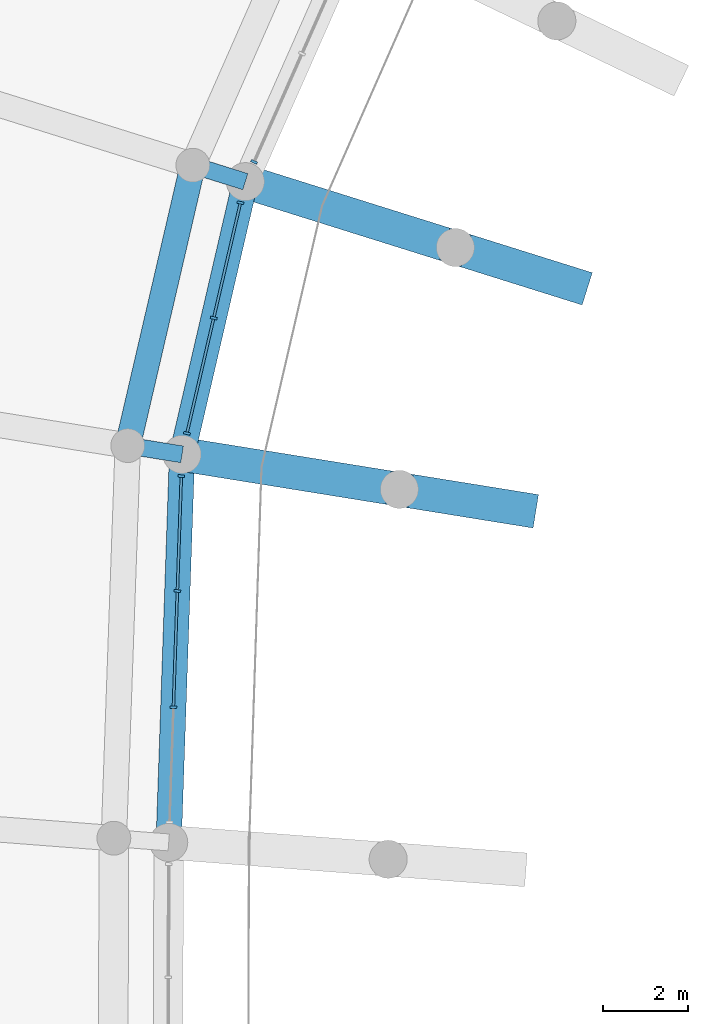
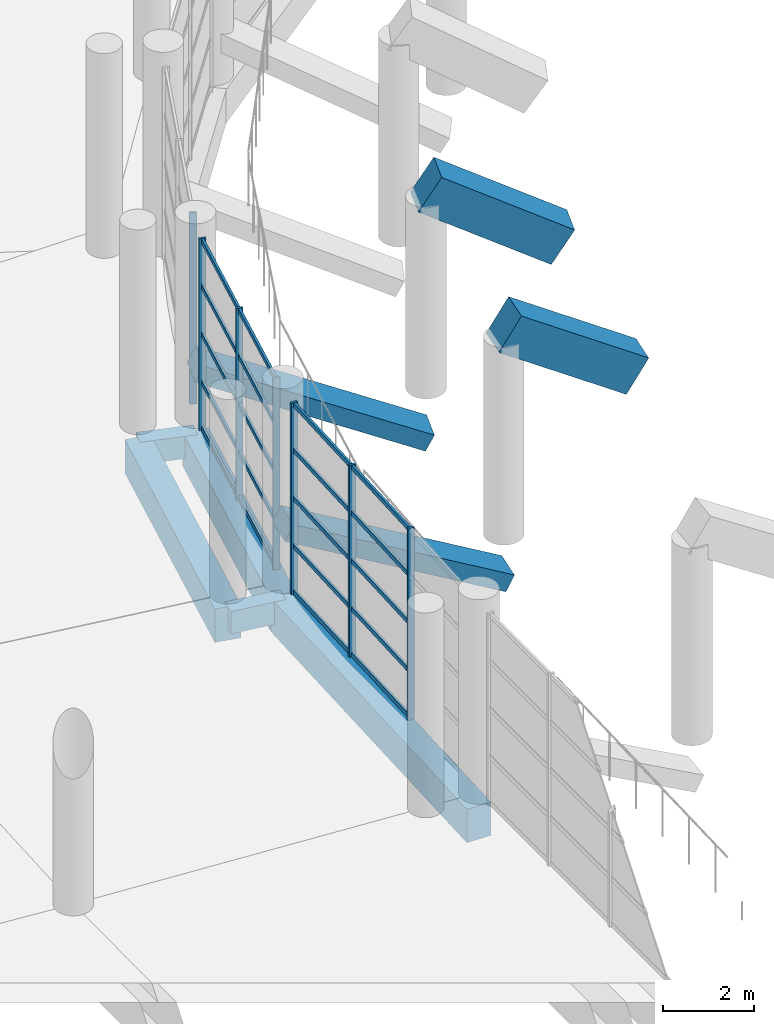
# One storey, part 74 of 271: 27 members, 9 beams, 3 elements without a shape of their own.
"""IFC4 building model written with IfcOpenShell, lengths in metres."""

from ifc_helpers import new_model, si_unit, direction, frame, origin, origin_2d, place, context, subcontext, project, spatial, rectangle, extrude, material, layer, layer_set, material_profile, profile_set, type_object, element, aggregate, save


model = new_model("IFC4")

# Units and contexts
model_context = context("Model", 3, precision=1e-05, world=origin(), true_north=direction((0.0, 1.0)))
body_context = subcontext(model_context, "Body", "Model", "MODEL_VIEW")
ifc_project = project(units=[si_unit("LENGTHUNIT", "METRE"), si_unit("AREAUNIT", "SQUARE_METRE"), si_unit("VOLUMEUNIT", "CUBIC_METRE"), si_unit("PLANEANGLEUNIT", "RADIAN"), si_unit("MASSUNIT", "GRAM", prefix="KILO")], contexts=[model_context])

# Site, building, storey
site_placement = place(None, origin())
site = spatial("IfcSite", under=ifc_project, at=site_placement, CompositionType="ELEMENT")
building_placement = place(site_placement, origin())
building = spatial("IfcBuilding", under=site, at=building_placement, Name="Meseta Stadium", CompositionType="ELEMENT")
storey_placement = place(building_placement, frame((0.0, 0.0, 6.5)))
storey = spatial("IfcBuildingStorey", under=building, at=storey_placement, Name="L01", CompositionType="ELEMENT", Elevation=6.5)

# Curtain wall, member
ifc_material_1 = material(Name="Aluminium", Category="aluminium")
ifc_layer = layer(ifc_material_1, 0.199951171875)
ifc_layer_set = layer_set([ifc_layer], Name="Club glazing curtain wall")
curtain_wall_type = type_object("IfcCurtainWallType", Name="Club glazing curtain wall", PredefinedType="NOTDEFINED", material=ifc_layer_set)
curtain_wall_1_placement = place(storey_placement, origin())
curtain_wall_1 = element("IfcCurtainWall", 1, at=curtain_wall_1_placement, inside=storey, type_object=curtain_wall_type, Name="Club glazing bay 26", PredefinedType="NOTDEFINED")
ifc_material_2 = material(Name="Aluminium", Category="aluminium")
ifc_material_profile_1 = material_profile(ifc_material_2, rectangle(XDim=0.159912109375, YDim=0.06005859375, at=origin_2d()), Name="CW 160x60")
ifc_profile_set_1 = profile_set([ifc_material_profile_1], Name="Aluminium")
member_type_1 = type_object("IfcMemberType", Name="CW mullion 60x160", PredefinedType="MULLION", material=ifc_profile_set_1)
member_1_placement = place(storey_placement, frame((-61.51611328125, 57.183837890625, 0.0), z_axis=(0.0, 0.0, 1.0), x_axis=(0.914657215102, -0.404230353712, 0.0)))
member_1 = element("IfcMember", 2, at=member_1_placement, type_object=member_type_1, Name="CWC mullion 3", PredefinedType="MULLION", context=body_context, shape_type="SweptSolid", body=[
    extrude(rectangle(XDim=0.159912109375, YDim=0.06005859375, at=origin_2d()), origin(), (0.0, 0.0, 1.0), 5.14990234375),
])
aggregate(curtain_wall_1, [member_1])

# Curtain wall, members
curtain_wall_2_placement = place(storey_placement, origin())
curtain_wall_2 = element("IfcCurtainWall", 3, at=curtain_wall_2_placement, inside=storey, type_object=curtain_wall_type, Name="Club glazing bay 27", PredefinedType="NOTDEFINED")
member_2_placement = place(storey_placement, frame((-61.838623046875, 56.21826171875, 0.0), z_axis=(0.0, 0.0, 1.0), x_axis=(0.974116107399, -0.226048245529, 0.0)))
member_2 = element("IfcMember", 4, at=member_2_placement, type_object=member_type_1, Name="CWC mullion 1", PredefinedType="MULLION", context=body_context, shape_type="SweptSolid", body=[
    extrude(rectangle(XDim=0.159912109375, YDim=0.06005859375, at=origin_2d()), origin(), (0.0, 0.0, 1.0), 5.14990234375),
])
member_3_placement = place(storey_placement, frame((-62.470703125, 53.494140625, 0.0), z_axis=(0.0, 0.0, 1.0), x_axis=(0.974116107399, -0.226048245529, 0.0)))
member_3 = element("IfcMember", 5, at=member_3_placement, type_object=member_type_1, Name="CWC mullion 2", PredefinedType="MULLION", context=body_context, shape_type="SweptSolid", body=[
    extrude(rectangle(XDim=0.159912109375, YDim=0.06005859375, at=origin_2d()), origin(), (0.0, 0.0, 1.0), 5.14990234375),
])
member_4_placement = place(storey_placement, frame((-63.102783203125, 50.769775390625, 0.0), z_axis=(0.0, 0.0, 1.0), x_axis=(0.974116107399, -0.226048245529, 0.0)))
member_4 = element("IfcMember", 6, at=member_4_placement, type_object=member_type_1, Name="CWC mullion 3", PredefinedType="MULLION", context=body_context, shape_type="SweptSolid", body=[
    extrude(rectangle(XDim=0.159912109375, YDim=0.06005859375, at=origin_2d()), origin(), (0.0, 0.0, 1.0), 5.14990234375),
])

curtain_wall_3_placement = place(storey_placement, origin())
curtain_wall_3 = element("IfcCurtainWall", 7, at=curtain_wall_3_placement, inside=storey, type_object=curtain_wall_type, Name="Club glazing bay 28", PredefinedType="NOTDEFINED")
member_5_placement = place(storey_placement, frame((-63.23583984375, 49.760498046875, 0.0), z_axis=(0.0, 0.0, 1.0), x_axis=(0.999408203812, -0.034398287063, 0.0)))
member_5 = element("IfcMember", 8, at=member_5_placement, type_object=member_type_1, Name="CWC mullion 1", PredefinedType="MULLION", context=body_context, shape_type="SweptSolid", body=[
    extrude(rectangle(XDim=0.159912109375, YDim=0.06005859375, at=origin_2d()), origin(), (0.0, 0.0, 1.0), 5.14990234375),
])
member_6_placement = place(storey_placement, frame((-63.329345703125, 47.044921875, 0.0), z_axis=(0.0, 0.0, 1.0), x_axis=(0.999408203812, -0.034398287063, 0.0)))
member_6 = element("IfcMember", 9, at=member_6_placement, type_object=member_type_1, Name="CWC mullion 2", PredefinedType="MULLION", context=body_context, shape_type="SweptSolid", body=[
    extrude(rectangle(XDim=0.159912109375, YDim=0.06005859375, at=origin_2d()), origin(), (0.0, 0.0, 1.0), 5.14990234375),
])
member_7_placement = place(storey_placement, frame((-63.423828125, 44.29931640625, 0.0), z_axis=(0.0, 0.0, 1.0), x_axis=(0.999408203812, -0.034398287063, 0.0)))
member_7 = element("IfcMember", 10, at=member_7_placement, type_object=member_type_1, Name="CWC mullion 3", PredefinedType="MULLION", context=body_context, shape_type="SweptSolid", body=[
    extrude(rectangle(XDim=0.159912109375, YDim=0.06005859375, at=origin_2d()), origin(), (0.0, 0.0, 1.0), 5.14990234375),
])

# Member
ifc_material_3 = material(Name="Aluminium", Category="aluminium")
ifc_material_profile_2 = material_profile(ifc_material_3, rectangle(XDim=0.06005859375, YDim=0.1201171875, at=origin_2d()), Name="CW 60x120")
ifc_profile_set_2 = profile_set([ifc_material_profile_2], Name="Aluminium")
member_type_2 = type_object("IfcMemberType", Name="CW transom 60x120", PredefinedType="USERDEFINED", material=ifc_profile_set_2)
member_8_placement = place(storey_placement, frame((-61.84521484375, 56.189208984375, 0.06005859375), z_axis=(-0.226064707023, -0.974112287285, 0.0), x_axis=(0.974112287285, -0.226064707023, 0.0)))
member_8 = element("IfcMember", 11, at=member_8_placement, type_object=member_type_2, Name="CWC transom 1.1", ObjectType="TRANSOM", PredefinedType="USERDEFINED", context=body_context, shape_type="SweptSolid", body=[
    extrude(rectangle(XDim=0.06005859375, YDim=0.1201171875, at=origin_2d()), origin(), (0.0, 0.0, 1.0), 2.736572265625),
])

member_9_placement = place(storey_placement, frame((-61.84521484375, 56.189208984375, 1.28759765625), z_axis=(-0.226064707023, -0.974112287285, 0.0), x_axis=(0.974112287285, -0.226064707023, 0.0)))
member_9 = element("IfcMember", 12, at=member_9_placement, type_object=member_type_2, Name="CWC transom 1.2", ObjectType="TRANSOM", PredefinedType="USERDEFINED", context=body_context, shape_type="SweptSolid", body=[
    extrude(rectangle(XDim=0.06005859375, YDim=0.1201171875, at=origin_2d()), origin(), (0.0, 0.0, 1.0), 2.736572265625),
])

member_10_placement = place(storey_placement, frame((-61.84521484375, 56.189208984375, 2.574951171875), z_axis=(-0.226064707023, -0.974112287285, 0.0), x_axis=(0.974112287285, -0.226064707023, 0.0)))
member_10 = element("IfcMember", 13, at=member_10_placement, type_object=member_type_2, Name="CWC transom 1.3", ObjectType="TRANSOM", PredefinedType="USERDEFINED", context=body_context, shape_type="SweptSolid", body=[
    extrude(rectangle(XDim=0.06005859375, YDim=0.1201171875, at=origin_2d()), origin(), (0.0, 0.0, 1.0), 2.736572265625),
])

member_11_placement = place(storey_placement, frame((-61.84521484375, 56.189208984375, 3.862548828125), z_axis=(-0.226064707023, -0.974112287285, 0.0), x_axis=(0.974112287285, -0.226064707023, 0.0)))
member_11 = element("IfcMember", 14, at=member_11_placement, type_object=member_type_2, Name="CWC transom 1.4", ObjectType="TRANSOM", PredefinedType="USERDEFINED", context=body_context, shape_type="SweptSolid", body=[
    extrude(rectangle(XDim=0.06005859375, YDim=0.1201171875, at=origin_2d()), origin(), (0.0, 0.0, 1.0), 2.736572265625),
])

member_12_placement = place(storey_placement, frame((-61.84521484375, 56.189208984375, 5.090087890625), z_axis=(-0.226064707023, -0.974112287285, 0.0), x_axis=(0.974112287285, -0.226064707023, 0.0)))
member_12 = element("IfcMember", 15, at=member_12_placement, type_object=member_type_2, Name="CWC transom 1.5", ObjectType="TRANSOM", PredefinedType="USERDEFINED", context=body_context, shape_type="SweptSolid", body=[
    extrude(rectangle(XDim=0.06005859375, YDim=0.1201171875, at=origin_2d()), origin(), (0.0, 0.0, 1.0), 2.736572265625),
])

member_13_placement = place(storey_placement, frame((-62.4775390625, 53.46484375, 0.06005859375), z_axis=(-0.226064707023, -0.974112287285, 0.0), x_axis=(0.974112287285, -0.226064707023, 0.0)))
member_13 = element("IfcMember", 16, at=member_13_placement, type_object=member_type_2, Name="CWC transom 2.1", ObjectType="TRANSOM", PredefinedType="USERDEFINED", context=body_context, shape_type="SweptSolid", body=[
    extrude(rectangle(XDim=0.06005859375, YDim=0.1201171875, at=origin_2d()), origin(), (0.0, 0.0, 1.0), 2.736572265625),
])

member_14_placement = place(storey_placement, frame((-62.4775390625, 53.46484375, 1.28759765625), z_axis=(-0.226064707023, -0.974112287285, 0.0), x_axis=(0.974112287285, -0.226064707023, 0.0)))
member_14 = element("IfcMember", 17, at=member_14_placement, type_object=member_type_2, Name="CWC transom 2.2", ObjectType="TRANSOM", PredefinedType="USERDEFINED", context=body_context, shape_type="SweptSolid", body=[
    extrude(rectangle(XDim=0.06005859375, YDim=0.1201171875, at=origin_2d()), origin(), (0.0, 0.0, 1.0), 2.736572265625),
])

member_15_placement = place(storey_placement, frame((-62.4775390625, 53.46484375, 2.574951171875), z_axis=(-0.226064707023, -0.974112287285, 0.0), x_axis=(0.974112287285, -0.226064707023, 0.0)))
member_15 = element("IfcMember", 18, at=member_15_placement, type_object=member_type_2, Name="CWC transom 2.3", ObjectType="TRANSOM", PredefinedType="USERDEFINED", context=body_context, shape_type="SweptSolid", body=[
    extrude(rectangle(XDim=0.06005859375, YDim=0.1201171875, at=origin_2d()), origin(), (0.0, 0.0, 1.0), 2.736572265625),
])

member_16_placement = place(storey_placement, frame((-62.4775390625, 53.46484375, 3.862548828125), z_axis=(-0.226064707023, -0.974112287285, 0.0), x_axis=(0.974112287285, -0.226064707023, 0.0)))
member_16 = element("IfcMember", 19, at=member_16_placement, type_object=member_type_2, Name="CWC transom 2.4", ObjectType="TRANSOM", PredefinedType="USERDEFINED", context=body_context, shape_type="SweptSolid", body=[
    extrude(rectangle(XDim=0.06005859375, YDim=0.1201171875, at=origin_2d()), origin(), (0.0, 0.0, 1.0), 2.736572265625),
])

member_17_placement = place(storey_placement, frame((-62.4775390625, 53.46484375, 5.090087890625), z_axis=(-0.226064707023, -0.974112287285, 0.0), x_axis=(0.974112287285, -0.226064707023, 0.0)))
member_17 = element("IfcMember", 20, at=member_17_placement, type_object=member_type_2, Name="CWC transom 2.5", ObjectType="TRANSOM", PredefinedType="USERDEFINED", context=body_context, shape_type="SweptSolid", body=[
    extrude(rectangle(XDim=0.06005859375, YDim=0.1201171875, at=origin_2d()), origin(), (0.0, 0.0, 1.0), 2.736572265625),
])

aggregate(curtain_wall_2, [member_2, member_3, member_4, member_8, member_9, member_10, member_11, member_12, member_13, member_14, member_15, member_16, member_17])

member_18_placement = place(storey_placement, frame((-63.23681640625, 49.730712890625, 0.06005859375), z_axis=(-0.034361017441, -0.999409485887, 0.0), x_axis=(0.999409485887, -0.034361017441, 0.0)))
member_18 = element("IfcMember", 21, at=member_18_placement, type_object=member_type_2, Name="CWC transom 1.1", ObjectType="TRANSOM", PredefinedType="USERDEFINED", context=body_context, shape_type="SweptSolid", body=[
    extrude(rectangle(XDim=0.06005859375, YDim=0.1201171875, at=origin_2d()), origin(), (0.0, 0.0, 1.0), 2.6572265625),
])

member_19_placement = place(storey_placement, frame((-63.23681640625, 49.730712890625, 1.28759765625), z_axis=(-0.034361017441, -0.999409485887, 0.0), x_axis=(0.999409485887, -0.034361017441, 0.0)))
member_19 = element("IfcMember", 22, at=member_19_placement, type_object=member_type_2, Name="CWC transom 1.2", ObjectType="TRANSOM", PredefinedType="USERDEFINED", context=body_context, shape_type="SweptSolid", body=[
    extrude(rectangle(XDim=0.06005859375, YDim=0.1201171875, at=origin_2d()), origin(), (0.0, 0.0, 1.0), 2.6572265625),
])

member_20_placement = place(storey_placement, frame((-63.23681640625, 49.730712890625, 2.574951171875), z_axis=(-0.034361017441, -0.999409485887, 0.0), x_axis=(0.999409485887, -0.034361017441, 0.0)))
member_20 = element("IfcMember", 23, at=member_20_placement, type_object=member_type_2, Name="CWC transom 1.3", ObjectType="TRANSOM", PredefinedType="USERDEFINED", context=body_context, shape_type="SweptSolid", body=[
    extrude(rectangle(XDim=0.06005859375, YDim=0.1201171875, at=origin_2d()), origin(), (0.0, 0.0, 1.0), 2.6572265625),
])

member_21_placement = place(storey_placement, frame((-63.23681640625, 49.730712890625, 3.862548828125), z_axis=(-0.034361017441, -0.999409485887, 0.0), x_axis=(0.999409485887, -0.034361017441, 0.0)))
member_21 = element("IfcMember", 24, at=member_21_placement, type_object=member_type_2, Name="CWC transom 1.4", ObjectType="TRANSOM", PredefinedType="USERDEFINED", context=body_context, shape_type="SweptSolid", body=[
    extrude(rectangle(XDim=0.06005859375, YDim=0.1201171875, at=origin_2d()), origin(), (0.0, 0.0, 1.0), 2.6572265625),
])

member_22_placement = place(storey_placement, frame((-63.23681640625, 49.730712890625, 5.090087890625), z_axis=(-0.034361017441, -0.999409485887, 0.0), x_axis=(0.999409485887, -0.034361017441, 0.0)))
member_22 = element("IfcMember", 25, at=member_22_placement, type_object=member_type_2, Name="CWC transom 1.5", ObjectType="TRANSOM", PredefinedType="USERDEFINED", context=body_context, shape_type="SweptSolid", body=[
    extrude(rectangle(XDim=0.06005859375, YDim=0.1201171875, at=origin_2d()), origin(), (0.0, 0.0, 1.0), 2.6572265625),
])

member_23_placement = place(storey_placement, frame((-63.330322265625, 47.014892578125, 0.06005859375), z_axis=(-0.034343365002, -0.999410092645, 0.0), x_axis=(0.999410092645, -0.034343365002, 0.0)))
member_23 = element("IfcMember", 26, at=member_23_placement, type_object=member_type_2, Name="CWC transom 2.1", ObjectType="TRANSOM", PredefinedType="USERDEFINED", context=body_context, shape_type="SweptSolid", body=[
    extrude(rectangle(XDim=0.06005859375, YDim=0.1201171875, at=origin_2d()), origin(), (0.0, 0.0, 1.0), 2.68701171875),
])

member_24_placement = place(storey_placement, frame((-63.330322265625, 47.014892578125, 1.28759765625), z_axis=(-0.034343365002, -0.999410092645, 0.0), x_axis=(0.999410092645, -0.034343365002, 0.0)))
member_24 = element("IfcMember", 27, at=member_24_placement, type_object=member_type_2, Name="CWC transom 2.2", ObjectType="TRANSOM", PredefinedType="USERDEFINED", context=body_context, shape_type="SweptSolid", body=[
    extrude(rectangle(XDim=0.06005859375, YDim=0.1201171875, at=origin_2d()), origin(), (0.0, 0.0, 1.0), 2.68701171875),
])

member_25_placement = place(storey_placement, frame((-63.330322265625, 47.014892578125, 2.574951171875), z_axis=(-0.034343365002, -0.999410092645, 0.0), x_axis=(0.999410092645, -0.034343365002, 0.0)))
member_25 = element("IfcMember", 28, at=member_25_placement, type_object=member_type_2, Name="CWC transom 2.3", ObjectType="TRANSOM", PredefinedType="USERDEFINED", context=body_context, shape_type="SweptSolid", body=[
    extrude(rectangle(XDim=0.06005859375, YDim=0.1201171875, at=origin_2d()), origin(), (0.0, 0.0, 1.0), 2.68701171875),
])

member_26_placement = place(storey_placement, frame((-63.330322265625, 47.014892578125, 3.862548828125), z_axis=(-0.034343365002, -0.999410092645, 0.0), x_axis=(0.999410092645, -0.034343365002, 0.0)))
member_26 = element("IfcMember", 29, at=member_26_placement, type_object=member_type_2, Name="CWC transom 2.4", ObjectType="TRANSOM", PredefinedType="USERDEFINED", context=body_context, shape_type="SweptSolid", body=[
    extrude(rectangle(XDim=0.06005859375, YDim=0.1201171875, at=origin_2d()), origin(), (0.0, 0.0, 1.0), 2.68701171875),
])

member_27_placement = place(storey_placement, frame((-63.330322265625, 47.014892578125, 5.090087890625), z_axis=(-0.034343365002, -0.999410092645, 0.0), x_axis=(0.999410092645, -0.034343365002, 0.0)))
member_27 = element("IfcMember", 30, at=member_27_placement, type_object=member_type_2, Name="CWC transom 2.5", ObjectType="TRANSOM", PredefinedType="USERDEFINED", context=body_context, shape_type="SweptSolid", body=[
    extrude(rectangle(XDim=0.06005859375, YDim=0.1201171875, at=origin_2d()), origin(), (0.0, 0.0, 1.0), 2.68701171875),
])

aggregate(curtain_wall_3, [member_5, member_6, member_7, member_18, member_19, member_20, member_21, member_22, member_23, member_24, member_25, member_26, member_27])

# Beams
ifc_material_4 = material(Name="Concrete C40/50", Category="concrete")
ifc_material_profile_3 = material_profile(ifc_material_4, rectangle(XDim=0.39990234375, YDim=0.60009765625, at=origin_2d()), Name="RC 400x600")
ifc_profile_set_3 = profile_set([ifc_material_profile_3], Name="Concrete C40/50")
beam_type_1 = type_object("IfcBeamType", Name="RC beam 400x600", PredefinedType="BEAM", material=ifc_profile_set_3)
for number, where, z_axis, x_axis, name in (
    (31, (-61.72314453125, 56.715576171875, -0.64990234375), (-0.954202212312, 0.299162394059, 0.0), (-0.299162394059, -0.954202212312, 0.0), "L01 radial beam frame 27 line C to D"),
    (32, (-63.21826171875, 50.27294921875, -0.64990234375), (-0.98726777227, 0.159067111111, 0.0), (-0.159067111111, -0.98726777227, 0.0), "L01 radial beam frame 28 line C to D"),
):
    element("IfcBeam", number, at=place(storey_placement, frame(where, z_axis=z_axis, x_axis=x_axis)), inside=storey, type_object=beam_type_1, Name=name, PredefinedType="BEAM", context=body_context, shape_type="SweptSolid", body=[
        extrude(rectangle(XDim=0.39990234375, YDim=0.60009765625, at=origin_2d()), origin(), (0.0, 0.0, 1.0), 1.300048828125),
    ])
ifc_material_5 = material(Name="Concrete C40/50", Category="concrete")
ifc_material_profile_4 = material_profile(ifc_material_5, rectangle(XDim=0.60009765625, YDim=0.89990234375, at=origin_2d()), Name="RC 600x900")
ifc_profile_set_4 = profile_set([ifc_material_profile_4], Name="Concrete C40/50")
beam_type_2 = type_object("IfcBeamType", Name="RC beam 600x900", PredefinedType="BEAM", material=ifc_profile_set_4)
beam_1_placement = place(storey_placement, frame((-61.72314453125, 56.715576171875, -0.800048828125), z_axis=(-0.226059029022, -0.974113604975, 0.0), x_axis=(0.974113604975, -0.226059029022, 0.0)))
element("IfcBeam", 33, at=beam_1_placement, inside=storey, type_object=beam_type_2, Name="L01 ring beam frame 27 line C", PredefinedType="BEAM", context=body_context, shape_type="SweptSolid", body=[
    extrude(rectangle(XDim=0.60009765625, YDim=0.89990234375, at=origin_2d()), origin(), (0.0, 0.0, 1.0), 6.61376953125),
])
beam_2_placement = place(storey_placement, frame((-62.963623046875, 57.1044921875, -0.800048828125), z_axis=(-0.226157078617, -0.974090845759, 0.0), x_axis=(0.974090845759, -0.226157078617, 0.0)))
element("IfcBeam", 34, at=beam_2_placement, inside=storey, type_object=beam_type_2, Name="L01 ring beam frame 27 line D", PredefinedType="BEAM", context=body_context, shape_type="SweptSolid", body=[
    extrude(rectangle(XDim=0.60009765625, YDim=0.89990234375, at=origin_2d()), origin(), (0.0, 0.0, 1.0), 6.801025390625),
])
beam_3_placement = place(storey_placement, frame((-63.21826171875, 50.27294921875, -0.800048828125), z_axis=(-0.034383449406, -0.999408714394, 0.0), x_axis=(0.999408714394, -0.034383449406, 0.0)))
element("IfcBeam", 35, at=beam_3_placement, inside=storey, type_object=beam_type_2, Name="L01 ring beam frame 28 line C", PredefinedType="BEAM", context=body_context, shape_type="SweptSolid", body=[
    extrude(rectangle(XDim=0.60009765625, YDim=0.89990234375, at=origin_2d()), origin(), (0.0, 0.0, 1.0), 9.173828125),
])
ifc_material_6 = material(Name="Concrete C40/50", Category="concrete")
ifc_material_profile_5 = material_profile(ifc_material_6, rectangle(XDim=0.800048828125, YDim=0.449951171875, at=origin_2d()), Name="RC 800x450")
ifc_profile_set_5 = profile_set([ifc_material_profile_5], Name="Concrete C40/50")
beam_type_3 = type_object("IfcBeamType", Name="RC raker lower 800x450", PredefinedType="USERDEFINED", material=ifc_profile_set_5)
beam_4_placement = place(storey_placement, frame((-56.76123046875, 55.159912109375, -1.231689453125), z_axis=(-0.85050096768, 0.266649880243, 0.453371751813), x_axis=(-0.299162394059, -0.954202212312, 0.0)))
element("IfcBeam", 36, at=beam_4_placement, inside=storey, type_object=beam_type_3, Name="Raker lower frame 27 lower tier", ObjectType="RAKER", PredefinedType="USERDEFINED", context=body_context, shape_type="SweptSolid", body=[
    extrude(rectangle(XDim=0.800048828125, YDim=0.449951171875, at=origin_2d()), origin(), (0.0, 0.0, 1.0), 5.834228515625),
])
beam_5_placement = place(storey_placement, frame((-58.084228515625, 49.4462890625, -1.083251953125), z_axis=(-0.879673184359, 0.141641228886, 0.453996531925), x_axis=(-0.158968215879, -0.98728370104, 0.0)))
element("IfcBeam", 37, at=beam_5_placement, inside=storey, type_object=beam_type_3, Name="Raker lower frame 28 lower tier", ObjectType="RAKER", PredefinedType="USERDEFINED", context=body_context, shape_type="SweptSolid", body=[
    extrude(rectangle(XDim=0.800048828125, YDim=0.449951171875, at=origin_2d()), origin(), (0.0, 0.0, 1.0), 5.836181640625),
])
ifc_material_7 = material(Name="Concrete C40/50", Category="concrete")
ifc_material_profile_6 = material_profile(ifc_material_7, rectangle(XDim=0.800048828125, YDim=1.0, at=origin_2d()), Name="RC 800x1000")
ifc_profile_set_6 = profile_set([ifc_material_profile_6], Name="Concrete C40/50")
beam_type_4 = type_object("IfcBeamType", Name="RC raker upper front 800x1000", PredefinedType="USERDEFINED", material=ifc_profile_set_6)
beam_6_placement = place(storey_placement, frame((-53.898681640625, 54.26220703125, 3.57470703125), z_axis=(-0.80976492274, 0.253945042296, 0.528954332048), x_axis=(-0.29923402526, -0.954179751476, 0.0)))
element("IfcBeam", 38, at=beam_6_placement, inside=storey, type_object=beam_type_4, Name="Raker upper front frame 27 upper tier", ObjectType="RAKER", PredefinedType="USERDEFINED", context=body_context, shape_type="SweptSolid", body=[
    extrude(rectangle(XDim=0.800048828125, YDim=1.0, at=origin_2d()), origin(), (0.0, 0.0, 1.0), 3.53515625),
])
beam_7_placement = place(storey_placement, frame((-55.12255859375, 48.96923828125, 3.73779296875), z_axis=(-0.837409269192, 0.134885641085, 0.529671199614), x_axis=(-0.1590251774, -0.987274527653, 0.0)))
element("IfcBeam", 39, at=beam_7_placement, inside=storey, type_object=beam_type_4, Name="Raker upper front frame 28 upper tier", ObjectType="RAKER", PredefinedType="USERDEFINED", context=body_context, shape_type="SweptSolid", body=[
    extrude(rectangle(XDim=0.800048828125, YDim=1.0, at=origin_2d()), origin(), (0.0, 0.0, 1.0), 3.53662109375),
])

save(model, "model.ifc")
